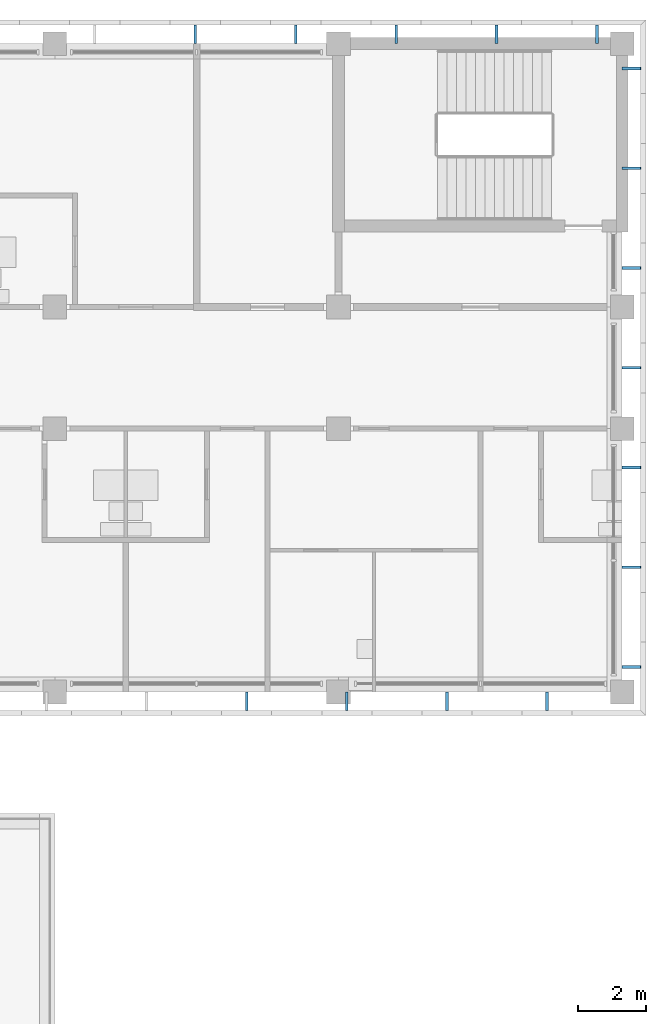
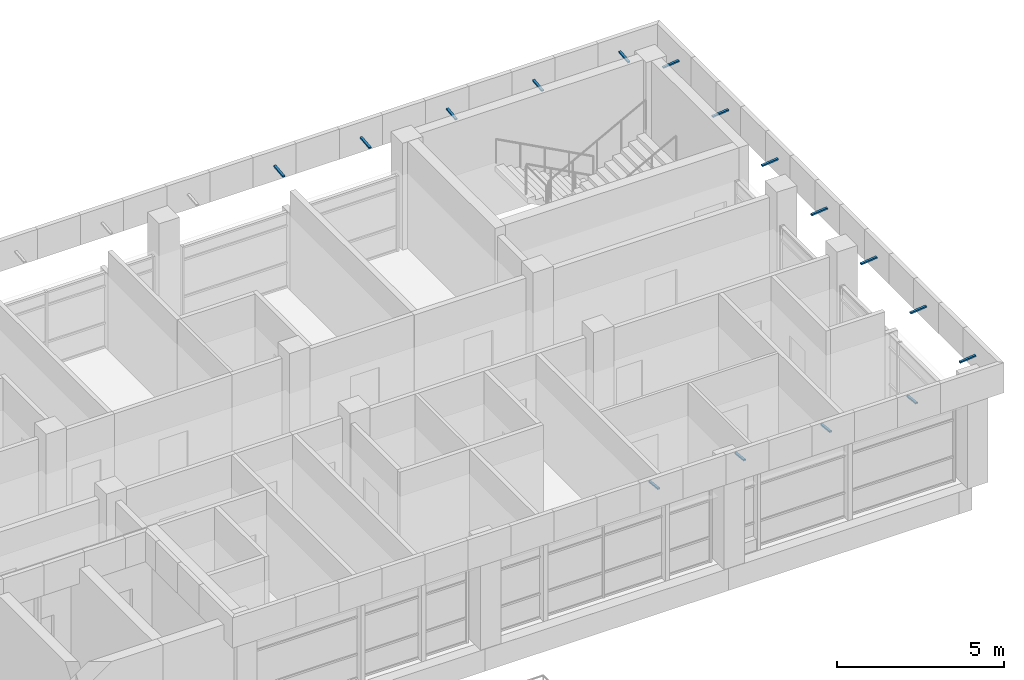
# One storey, part 36 of 46: 16 discrete accessories.
"""IFC4 building model written with IfcOpenShell, lengths in metres."""

from ifc_helpers import new_model, si_unit, direction, frame, origin, origin_2d, place, context, subcontext, project, spatial, rectangle, extrude, material, material_profile, profile_set, type_object, element, save


model = new_model("IFC4")

# Units and contexts
model_context = context("Model", 3, precision=1e-05, world=origin(), true_north=direction((0.0, 1.0)))
body_context = subcontext(model_context, "Body", "Model", "MODEL_VIEW")
ifc_project = project(units=[si_unit("LENGTHUNIT", "METRE"), si_unit("AREAUNIT", "SQUARE_METRE"), si_unit("VOLUMEUNIT", "CUBIC_METRE"), si_unit("PLANEANGLEUNIT", "RADIAN"), si_unit("MASSUNIT", "GRAM", prefix="KILO")], contexts=[model_context])

# Site, building, storey
site_placement = place(None, origin())
site = spatial("IfcSite", under=ifc_project, at=site_placement, CompositionType="ELEMENT")
building_placement = place(site_placement, origin())
building = spatial("IfcBuilding", under=site, at=building_placement, Name="Bougainvillea Quay General Hospital", CompositionType="ELEMENT")
storey_placement = place(building_placement, frame((0.0, 0.0, 28.800048828125)))
storey = spatial("IfcBuildingStorey", under=building, at=storey_placement, Name="L06", CompositionType="ELEMENT", Elevation=28.800048828125)

# Discrete accessories
ifc_material = material(Name="Stainless steel bracket, grade 316", Category="steel")
ifc_material_profile = material_profile(ifc_material, rectangle(XDim=0.080078125, YDim=0.050048828125, at=origin_2d()))
ifc_profile_set = profile_set([ifc_material_profile], Name="Stainless steel bracket, grade 316")
discrete_accessory_type = type_object("IfcDiscreteAccessoryType", Name="Stainless steel stand-off bracket 80x50", PredefinedType="BRACKET", material=ifc_profile_set)
for number, where, z_axis, x_axis, name in (
    (1, (184.05615234375, 159.60009765625, 3.83984375), (0.0, 0.994086591779, 0.108590276011), (-1.0, 0.0, 0.0), "Fascia bracket e0 1"),
    (2, (181.081298828125, 159.60009765625, 3.83984375), (0.0, 0.994086591779, 0.108590276011), (-1.0, 0.0, 0.0), "Fascia bracket e0 3"),
    (3, (178.106201171875, 159.60009765625, 3.83984375), (0.0, 0.994086591779, 0.108590276011), (-1.0, 0.0, 0.0), "Fascia bracket e0 5"),
    (4, (175.13134765625, 159.60009765625, 3.83984375), (0.0, 0.994086591779, 0.108590276011), (-1.0, 0.0, 0.0), "Fascia bracket e0 7"),
    (5, (172.15625, 159.60009765625, 3.83984375), (0.0, 0.994086591779, 0.108590276011), (-1.0, 0.0, 0.0), "Fascia bracket e0 9"),
    (6, (173.682373046875, 140.39990234375, 3.83984375), (0.0, -0.994086591779, 0.108590276011), (1.0, 0.0, 0.0), "Fascia bracket e0 215"),
    (7, (176.64697265625, 140.39990234375, 3.83984375), (0.0, -0.994086591779, 0.108590276011), (1.0, 0.0, 0.0), "Fascia bracket e0 217"),
    (8, (179.61181640625, 140.39990234375, 3.83984375), (0.0, -0.994086591779, 0.108590276011), (1.0, 0.0, 0.0), "Fascia bracket e0 219"),
    (9, (182.576416015625, 140.39990234375, 3.83984375), (0.0, -0.994086591779, 0.108590276011), (1.0, 0.0, 0.0), "Fascia bracket e0 221"),
):
    element("IfcDiscreteAccessory", number, at=place(storey_placement, frame(where, z_axis=z_axis, x_axis=x_axis)), inside=storey, type_object=discrete_accessory_type, Name=name, PredefinedType="BRACKET", context=body_context, shape_type="SweptSolid", body=[
        extrude(rectangle(XDim=0.080078125, YDim=0.050048828125, at=origin_2d()), origin(), (0.0, 0.0, 1.0), 0.552978515625),
    ])
for number, where, z_axis, x_axis, name in (
    (10, (184.800048828125, 141.138427734375, 3.83984375), (0.994091793559, 0.0, 0.108542645901), (0.0, 1.0, 0.0), "Fascia bracket e0 223"),
    (11, (184.800048828125, 144.09228515625, 3.83984375), (0.994091793559, 0.0, 0.108542645901), (0.0, 1.0, 0.0), "Fascia bracket e0 225"),
    (12, (184.800048828125, 147.046142578125, 3.83984375), (0.994091793559, 0.0, 0.108542645901), (0.0, 1.0, 0.0), "Fascia bracket e0 227"),
    (13, (184.800048828125, 150.0, 3.83984375), (0.994091793559, 0.0, 0.108542645901), (0.0, 1.0, 0.0), "Fascia bracket e0 229"),
    (14, (184.800048828125, 152.953857421875, 3.83984375), (0.994091793559, 0.0, 0.108542645901), (0.0, 1.0, 0.0), "Fascia bracket e0 231"),
    (15, (184.800048828125, 155.90771484375, 3.83984375), (0.994091793559, 0.0, 0.108542645901), (0.0, 1.0, 0.0), "Fascia bracket e0 233"),
    (16, (184.800048828125, 158.861572265625, 3.83984375), (0.994091793559, 0.0, 0.108542645901), (0.0, 1.0, 0.0), "Fascia bracket e0 235"),
):
    element("IfcDiscreteAccessory", number, at=place(storey_placement, frame(where, z_axis=z_axis, x_axis=x_axis)), inside=storey, type_object=discrete_accessory_type, Name=name, PredefinedType="BRACKET", context=body_context, shape_type="SweptSolid", body=[
        extrude(rectangle(XDim=0.080078125, YDim=0.050048828125, at=origin_2d()), origin(), (0.0, 0.0, 1.0), 0.55322265625),
    ])

save(model, "model.ifc")
